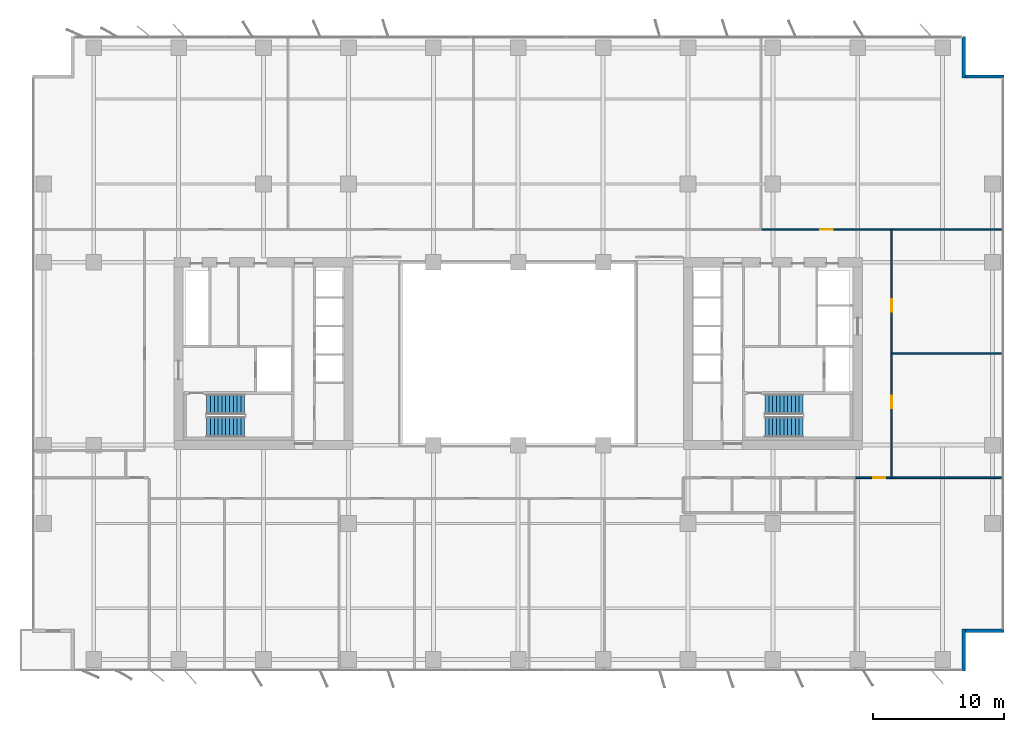
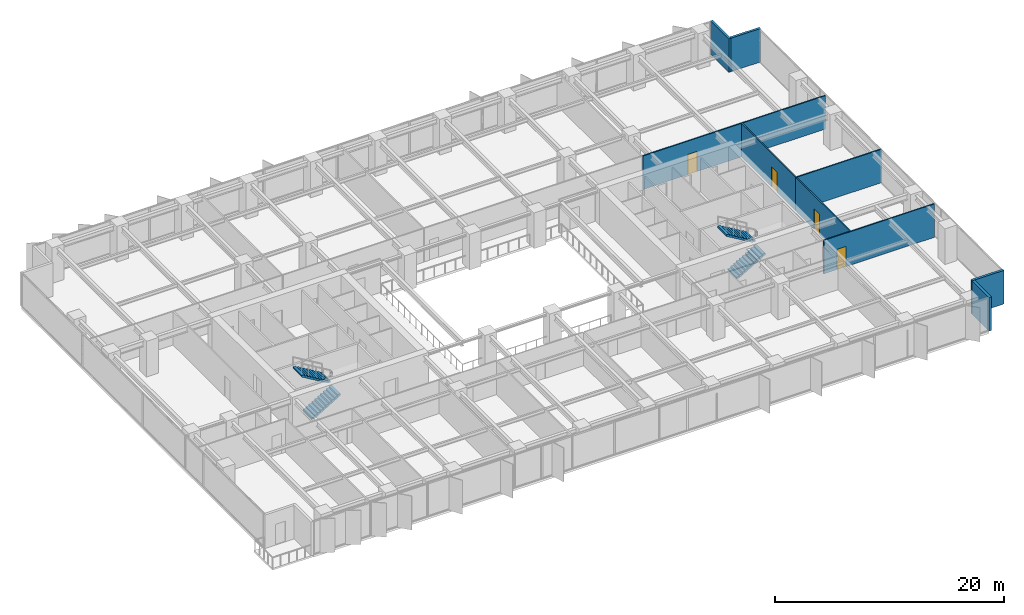
# One storey, part 16 of 20: 9 walls, 4 doors, 4 stair flights, 4 openings, 2 elements without a shape of their own.
"""IFC4 building model written with IfcOpenShell, lengths in metres."""

import ifcopenshell
import ifcopenshell.guid

model = None  # the IFC model being written
_history = None  # IfcOwnerHistory: only IFC2X3 demands one
_inside = {}  # id of a spatial element -> (the spatial element, [elements in it])
_under = {}  # id of a project, library or spatial element -> (it, [spatial elements below it])
_declared = {}  # id of a project -> (the project, [libraries it declares])
_typed = {}  # id of a type object -> (the type object, [elements of that type])
_made_of = {}  # id of a material, layer set ... -> (it, [elements and type objects made of it])


def new_model(schema):
    """Start an empty IFC model of exactly this schema.

    Asked for "IFC4X3", IfcOpenShell would pick the latest addendum, in which some entities
    have other attributes; the version numbers below select the first issue.
    IFC2X3 requires an IfcOwnerHistory on every rooted entity: one is made here for all.
    """
    global model, _history
    if schema == "IFC4X3":
        model = ifcopenshell.file(schema_version=(4, 3, 0, 0))
    else:
        model = ifcopenshell.file(schema=schema)
    _inside.clear()
    _under.clear()
    _declared.clear()
    _typed.clear()
    _made_of.clear()
    _history = None
    if model.schema == "IFC2X3":
        org = make("IfcOrganization", Name="unknown")
        user = make(
            "IfcPersonAndOrganization",
            ThePerson=make("IfcPerson", FamilyName="unknown"),
            TheOrganization=org,
        )
        app = make(
            "IfcApplication",
            ApplicationDeveloper=org,
            Version="unknown",
            ApplicationFullName="unknown",
            ApplicationIdentifier="unknown",
        )
        _history = make(
            "IfcOwnerHistory",
            OwningUser=user,
            OwningApplication=app,
            ChangeAction="ADDED",
            CreationDate=0,
        )
    return model


def make(cls, **values):
    """One entity of the class cls with the attributes given. An attribute that is None is left unset."""
    return model.create_entity(
        cls, **{name: value for name, value in values.items() if value is not None}
    )


def rooted(cls, **values):
    """An entity with a GlobalId (a new one), such as an element, a storey or a relation."""
    return make(cls, GlobalId=ifcopenshell.guid.new(), OwnerHistory=_history, **values)


def si_unit(unit_type, name, prefix=None):
    """IfcSIUnit, for example si_unit("LENGTHUNIT", "METRE", prefix="MILLI")."""
    return make("IfcSIUnit", UnitType=unit_type, Prefix=prefix, Name=name)


def assignment(units):
    """IfcUnitAssignment: the units of a project."""
    return None if units is None else make("IfcUnitAssignment", Units=units)


def point(xyz):
    """IfcCartesianPoint."""
    return None if xyz is None else make("IfcCartesianPoint", Coordinates=xyz)


def direction(xyz):
    """IfcDirection."""
    return None if xyz is None else make("IfcDirection", DirectionRatios=xyz)


def frame(location, z_axis=None, x_axis=None):
    """IfcAxis2Placement3D, a coordinate frame: its origin and axes. An axis left out is left unset."""
    return make(
        "IfcAxis2Placement3D",
        Location=point(location),
        Axis=direction(z_axis),
        RefDirection=direction(x_axis),
    )


def frame_2d(location, x_axis=None):
    """IfcAxis2Placement2D, a coordinate frame in the plane: its origin and x axis."""
    return make(
        "IfcAxis2Placement2D", Location=point(location), RefDirection=direction(x_axis)
    )


def origin():
    """The frame at (0, 0, 0) with its axes left unset."""
    return frame((0.0, 0.0, 0.0))


def place(relative_to, where):
    """IfcLocalPlacement: puts the frame where relative to a parent placement (None: the world)."""
    return make(
        "IfcLocalPlacement", PlacementRelTo=relative_to, RelativePlacement=where
    )


def context(
    kind, dimensions, precision=None, world=None, true_north=None, identifier=None
):
    """IfcGeometricRepresentationContext, for example the 3D "Model" context."""
    return make(
        "IfcGeometricRepresentationContext",
        ContextIdentifier=identifier,
        ContextType=kind,
        CoordinateSpaceDimension=dimensions,
        Precision=precision,
        WorldCoordinateSystem=world,
        TrueNorth=true_north,
    )


def subcontext(parent, identifier, kind, view, scale=None):
    """IfcGeometricRepresentationSubContext, for example "Body" below "Model"."""
    return make(
        "IfcGeometricRepresentationSubContext",
        ContextIdentifier=identifier,
        ContextType=kind,
        ParentContext=parent,
        TargetScale=scale,
        TargetView=view,
    )


def project(units=None, contexts=None):
    """IfcProject with its units and contexts."""
    return rooted(
        "IfcProject",
        Name="project",
        RepresentationContexts=contexts,
        UnitsInContext=assignment(units),
    )


def spatial(cls, under=None, at=None, **own):
    """A site, building, storey or space (cls), placed at a placement, below another one or the project."""
    s = rooted(cls, ObjectPlacement=at, **own)
    if under is not None:
        _under.setdefault(under.id(), (under, []))[1].append(s)
    return s


def polyline(points):
    """IfcPolyline through the points."""
    return make("IfcPolyline", Points=[point(p) for p in points])


def profile(cls, at=None, kind="AREA", **sizes):
    """A parametric profile (cls). Its sizes go by their IFC names, for example OverallWidth=200.0."""
    return make(cls, ProfileType=kind, Position=at, **sizes)


def rectangle(**sizes):
    """IfcRectangleProfileDef."""
    return profile("IfcRectangleProfileDef", **sizes)


def outline(outer, holes=None, kind="AREA"):
    """IfcArbitraryClosedProfileDef: a profile drawn as a closed curve; with holes, ...WithVoids."""
    if holes is None:
        return make("IfcArbitraryClosedProfileDef", ProfileType=kind, OuterCurve=outer)
    return make(
        "IfcArbitraryProfileDefWithVoids",
        ProfileType=kind,
        OuterCurve=outer,
        InnerCurves=holes,
    )


def extrude(swept, where, along, depth):
    """IfcExtrudedAreaSolid: the profile swept, set in the frame where, extruded along a direction by depth."""
    return make(
        "IfcExtrudedAreaSolid",
        SweptArea=swept,
        Position=where,
        ExtrudedDirection=direction(along),
        Depth=depth,
    )


def shape(context_of_items, identifier, shape_type, items):
    """IfcShapeRepresentation: the items that make up one representation, for example the "Body"."""
    return make(
        "IfcShapeRepresentation",
        ContextOfItems=context_of_items,
        RepresentationIdentifier=identifier,
        RepresentationType=shape_type,
        Items=items,
    )


def material(Name=None, Category=None):
    """IfcMaterial."""
    return make("IfcMaterial", Name=Name, Category=Category)


def layer(
    of_material, thickness, ventilated=None, Name=None, Category=None, Priority=None
):
    """IfcMaterialLayer: one layer of a wall or slab, of a material (None: an air gap)."""
    return make(
        "IfcMaterialLayer",
        Material=of_material,
        LayerThickness=thickness,
        IsVentilated=ventilated,
        Name=Name,
        Category=Category,
        Priority=Priority,
    )


def layer_set(layers, Name=None):
    """IfcMaterialLayerSet."""
    return make("IfcMaterialLayerSet", MaterialLayers=layers, LayerSetName=Name)


def made_of(thing, what):
    """Note that an element or type object is made of a material, layer set ...; save() writes the relation."""
    if what is not None:
        _made_of.setdefault(what.id(), (what, []))[1].append(thing)
    return thing


def type_object(cls, material=None, **own):
    """A type object (cls), such as IfcWallType, which elements share."""
    return made_of(rooted(cls, **own), material)


def element(
    cls,
    number,
    at=None,
    inside=None,
    cuts=None,
    type_object=None,
    material=None,
    context=None,
    identifier="Body",
    shape_type=None,
    held_by="IfcProductDefinitionShape",
    body=None,
    shapes=None,
    **own,
):
    """One element of the class cls, such as IfcWall. Its Tag is "e" and its number.

    at: its placement. inside: the storey or other place that contains it. cuts: it is an
    opening in that element (IfcRelVoidsElement). A single representation is given by context,
    identifier, shape_type and body (its items); several are given by shapes. held_by: the class
    of the entity that holds the representations. save() writes the other relations.
    """
    e = rooted(cls, Tag="e%d" % number, ObjectPlacement=at, **own)
    if body is not None:
        shapes = [shape(context, identifier, shape_type, body)]
    if shapes is not None:
        e.Representation = make(held_by, Representations=shapes)
    if inside is not None:
        _inside.setdefault(inside.id(), (inside, []))[1].append(e)
    if cuts is not None:
        rooted(
            "IfcRelVoidsElement", RelatingBuildingElement=cuts, RelatedOpeningElement=e
        )
    if type_object is not None:
        _typed.setdefault(type_object.id(), (type_object, []))[1].append(e)
    return made_of(e, material)


def fill(opening, filler):
    """IfcRelFillsElement: the door or window that sits in an opening."""
    return rooted(
        "IfcRelFillsElement",
        RelatingOpeningElement=opening,
        RelatedBuildingElement=filler,
    )


def aggregate(whole, parts):
    """IfcRelAggregates: a whole, such as a stair, and the parts it consists of."""
    return rooted("IfcRelAggregates", RelatingObject=whole, RelatedObjects=parts)


def save(model, path):
    """Write the relations noted so far, then the file.

    IfcRelAggregates (storeys below a building ...), IfcRelContainedInSpatialStructure (elements
    in a storey), IfcRelDefinesByType, IfcRelAssociatesMaterial and IfcRelDeclares: one each for
    every whole, place, type object, material and project.
    """
    for whole, parts in _under.values():
        aggregate(whole, parts)
    for where, things in _inside.values():
        rooted(
            "IfcRelContainedInSpatialStructure",
            RelatedElements=things,
            RelatingStructure=where,
        )
    for kind, things in _typed.values():
        rooted("IfcRelDefinesByType", RelatedObjects=things, RelatingType=kind)
    for what, things in _made_of.values():
        rooted("IfcRelAssociatesMaterial", RelatedObjects=things, RelatingMaterial=what)
    for by, libraries in _declared.values():
        rooted("IfcRelDeclares", RelatingContext=by, RelatedDefinitions=libraries)
    model.write(path)


model = new_model("IFC4")

# Units and contexts
model_context = context("Model", 3, precision=1e-05, world=origin(), true_north=direction((0.0, 1.0)))
body_context = subcontext(model_context, "Body", "Model", "MODEL_VIEW")
ifc_project = project(units=[si_unit("LENGTHUNIT", "METRE"), si_unit("AREAUNIT", "SQUARE_METRE"), si_unit("VOLUMEUNIT", "CUBIC_METRE"), si_unit("PLANEANGLEUNIT", "RADIAN"), si_unit("MASSUNIT", "GRAM", prefix="KILO")], contexts=[model_context])

# Site, building, storey
site_placement = place(None, origin())
site = spatial("IfcSite", under=ifc_project, at=site_placement, CompositionType="ELEMENT")
building_placement = place(site_placement, origin())
building = spatial("IfcBuilding", under=site, at=building_placement, Name="Putna Gate Headquarters", CompositionType="ELEMENT")
storey_placement = place(building_placement, frame((0.0, 0.0, 93.60009765625)))
storey = spatial("IfcBuildingStorey", under=building, at=storey_placement, Name="L22", CompositionType="ELEMENT", Elevation=93.60009765625)

# Walls
ifc_material_1 = material(Name="Precast concrete C40/50", Category="concrete")
ifc_layer_1 = layer(ifc_material_1, 0.239990234375)
ifc_layer_set_1 = layer_set([ifc_layer_1], Name="Precast concrete C40/50")
wall_type_1 = type_object("IfcWallType", Name="WALL-EXT-TERR-240", PredefinedType="STANDARD", material=ifc_layer_set_1)
for number, where, z_axis, x_axis, name in (
    (1, (73.1201171875, 50.300048828125, 0.0), (0.0, 0.0, 1.0), (0.0, -1.0, 0.0), "L22 Corner Notch Return Wall NE-V"),
    (2, (73.0, 47.219970703125, 0.0), (0.0, 0.0, 1.0), (1.0, 0.0, 0.0), "L22 Corner Notch Return Wall NE-H"),
    (3, (73.1201171875, 4.89990234375, 0.0), (0.0, 0.0, 1.0), (0.0, -1.0, 0.0), "L22 Corner Notch Return Wall SE-V"),
    (4, (76.199951171875, 4.780029296875, 0.0), (0.0, 0.0, 1.0), (-1.0, 0.0, 0.0), "L22 Corner Notch Return Wall SE-H"),
):
    element("IfcWall", number, at=place(storey_placement, frame(where, z_axis=z_axis, x_axis=x_axis)), inside=storey, type_object=wall_type_1, Name=name, PredefinedType="STANDARD", context=body_context, shape_type="SweptSolid", body=[
        extrude(rectangle(XDim=3.199951171875, YDim=0.239990234375, at=frame_2d((1.60009765625, 0.0))), origin(), (0.0, 0.0, 1.0), 3.56494140625),
    ])
ifc_material_2 = material(Name="Acoustic gypsum board on metal stud")
ifc_layer_2 = layer(ifc_material_2, 0.1201171875)
ifc_layer_set_2 = layer_set([ifc_layer_2], Name="Acoustic gypsum board on metal stud")
wall_type_2 = type_object("IfcWallType", Name="WALL-PART-120", PredefinedType="PARTITIONING", material=ifc_layer_set_2)
wall_1_placement = place(storey_placement, frame((67.60009765625, 26.0, 0.0), z_axis=(0.0, 0.0, 1.0), x_axis=(1.0, 0.0, 0.0)))
element("IfcWall", 5, at=wall_1_placement, inside=storey, type_object=wall_type_2, Name="L22 Interior Wall PART-L22-EW-DIV-1", PredefinedType="PARTITIONING", context=body_context, shape_type="SweptSolid", body=[
    extrude(rectangle(XDim=8.579833984375, YDim=0.1201171875, at=frame_2d((4.2900390625, 0.0))), origin(), (0.0, 0.0, 1.0), 3.56494140625),
])

# Wall, opening, door
ifc_material_3 = material(Name="Fire-rated gypsum board on metal stud")
ifc_layer_3 = layer(ifc_material_3, 0.1201171875)
ifc_layer_set_3 = layer_set([ifc_layer_3], Name="Fire-rated gypsum board on metal stud")
wall_type_3 = type_object("IfcWallType", Name="WALL-PART-120-RATED", PredefinedType="PARTITIONING", material=ifc_layer_set_3)
wall_2_placement = place(storey_placement, frame((57.63671875, 35.5, 0.0), z_axis=(0.0, 0.0, 1.0), x_axis=(1.0, 0.0, 0.0)))
wall_2 = element("IfcWall", 6, at=wall_2_placement, inside=storey, type_object=wall_type_3, Name="L22 Interior Wall PART-L22-NB-CW-04", PredefinedType="PARTITIONING", context=body_context, shape_type="SweptSolid", body=[
    extrude(rectangle(XDim=18.38330078125, YDim=0.1201171875, at=frame_2d((9.191650390625, 0.0))), origin(), (0.0, 0.0, 1.0), 3.56494140625),
])
opening_1_placement = place(wall_2_placement, frame((4.506591796875, 0.0, 0.0)))
opening_1 = element("IfcOpeningElement", 7, at=opening_1_placement, cuts=wall_2, Name="Opening FD-95", PredefinedType="OPENING", context=body_context, shape_type="SweptSolid", body=[
    extrude(rectangle(XDim=0.949951171875, YDim=2.14990234375, at=frame_2d((0.47509765625, 1.074951171875))), frame((0.0, 0.070068359375, 0.0), z_axis=(0.0, -1.0, 0.0), x_axis=(1.0, 0.0, 0.0)), (0.0, 0.0, 1.0), 0.14013671875),
])
ifc_material_4 = material(Name="Acoustic timber fire door", Category="wood")
door_type = type_object("IfcDoorType", Name="DOOR-FIRE-950", OperationType="NOTDEFINED", PredefinedType="DOOR", material=ifc_material_4)
door_1_placement = place(opening_1_placement, origin())
door_1 = element("IfcDoor", 8, at=door_1_placement, inside=storey, type_object=door_type, Name="L22 Quiet Wellness Focus Studio 1 Door", OperationType="SINGLE_SWING_RIGHT", OverallHeight=2.14990234375, OverallWidth=0.949951171875, PredefinedType="DOOR", context=body_context, shape_type="SweptSolid", body=[
    extrude(rectangle(XDim=0.949951171875, YDim=2.14990234375, at=frame_2d((0.47509765625, 1.074951171875))), frame((0.0, 0.02490234375, 0.0), z_axis=(0.0, -1.0, 0.0), x_axis=(1.0, 0.0, 0.0)), (0.0, 0.0, 1.0), 0.050048828125),
])
fill(opening_1, door_1)

wall_3_placement = place(storey_placement, frame((64.860107421875, 16.5, 0.0), z_axis=(0.0, 0.0, 1.0), x_axis=(1.0, 0.0, 0.0)))
wall_3 = element("IfcWall", 9, at=wall_3_placement, inside=storey, type_object=wall_type_3, Name="L22 Interior Wall PART-L22-SB-CW-08", PredefinedType="PARTITIONING", context=body_context, shape_type="SweptSolid", body=[
    extrude(rectangle(XDim=11.159912109375, YDim=0.1201171875, at=frame_2d((5.580078125, 0.0))), origin(), (0.0, 0.0, 1.0), 3.56494140625),
])
opening_2_placement = place(wall_3_placement, frame((1.31005859375, 0.0, 0.0)))
opening_2 = element("IfcOpeningElement", 10, at=opening_2_placement, cuts=wall_3, Name="Opening FD-95", PredefinedType="OPENING", context=body_context, shape_type="SweptSolid", body=[
    extrude(rectangle(XDim=0.949951171875, YDim=2.14990234375, at=frame_2d((0.47509765625, 1.074951171875))), frame((0.0, 0.070068359375, 0.0), z_axis=(0.0, -1.0, 0.0), x_axis=(1.0, 0.0, 0.0)), (0.0, 0.0, 1.0), 0.14013671875),
])
door_2_placement = place(opening_2_placement, origin())
door_2 = element("IfcDoor", 11, at=door_2_placement, inside=storey, type_object=door_type, Name="L22 Quiet Wellness Focus Studio 3 Door", OperationType="SINGLE_SWING_RIGHT", OverallHeight=2.14990234375, OverallWidth=0.949951171875, PredefinedType="DOOR", context=body_context, shape_type="SweptSolid", body=[
    extrude(rectangle(XDim=0.949951171875, YDim=2.14990234375, at=frame_2d((0.47509765625, 1.074951171875))), frame((0.0, 0.02490234375, 0.0), z_axis=(0.0, -1.0, 0.0), x_axis=(1.0, 0.0, 0.0)), (0.0, 0.0, 1.0), 0.050048828125),
])
fill(opening_2, door_2)

wall_4_placement = place(storey_placement, frame((67.60009765625, 16.5, 0.0), z_axis=(0.0, 0.0, 1.0), x_axis=(0.0, 1.0, 0.0)))
wall_4 = element("IfcWall", 12, at=wall_4_placement, inside=storey, type_object=wall_type_3, Name="L22 Interior Wall PART-L22-EW-CW-1", PredefinedType="PARTITIONING", context=body_context, shape_type="SweptSolid", body=[
    extrude(rectangle(XDim=9.5, YDim=0.1201171875, at=frame_2d((4.75, 0.0))), origin(), (0.0, 0.0, 1.0), 3.56494140625),
])
opening_3_placement = place(wall_4_placement, frame((5.324951171875, 0.0, 0.0)))
opening_3 = element("IfcOpeningElement", 13, at=opening_3_placement, cuts=wall_4, Name="Opening FD-95", PredefinedType="OPENING", context=body_context, shape_type="SweptSolid", body=[
    extrude(rectangle(XDim=0.949951171875, YDim=2.14990234375, at=frame_2d((0.47509765625, 1.074951171875))), frame((0.0, 0.070068359375, 0.0), z_axis=(0.0, -1.0, 0.0), x_axis=(1.0, 0.0, 0.0)), (0.0, 0.0, 1.0), 0.14013671875),
])
door_3_placement = place(opening_3_placement, origin())
door_3 = element("IfcDoor", 14, at=door_3_placement, inside=storey, type_object=door_type, Name="L22 East Advisory Office 1 Door", OperationType="SINGLE_SWING_RIGHT", OverallHeight=2.14990234375, OverallWidth=0.949951171875, PredefinedType="DOOR", context=body_context, shape_type="SweptSolid", body=[
    extrude(rectangle(XDim=0.949951171875, YDim=2.14990234375, at=frame_2d((0.47509765625, 1.074951171875))), frame((0.0, 0.02490234375, 0.0), z_axis=(0.0, -1.0, 0.0), x_axis=(1.0, 0.0, 0.0)), (0.0, 0.0, 1.0), 0.050048828125),
])
fill(opening_3, door_3)

wall_5_placement = place(storey_placement, frame((67.60009765625, 26.0, 0.0), z_axis=(0.0, 0.0, 1.0), x_axis=(0.0, 1.0, 0.0)))
wall_5 = element("IfcWall", 15, at=wall_5_placement, inside=storey, type_object=wall_type_3, Name="L22 Interior Wall PART-L22-EW-CW-2", PredefinedType="PARTITIONING", context=body_context, shape_type="SweptSolid", body=[
    extrude(rectangle(XDim=9.5, YDim=0.1201171875, at=frame_2d((4.75, 0.0))), origin(), (0.0, 0.0, 1.0), 3.56494140625),
])
opening_4_placement = place(wall_5_placement, frame((3.22509765625, 0.0, 0.0)))
opening_4 = element("IfcOpeningElement", 16, at=opening_4_placement, cuts=wall_5, Name="Opening FD-95", PredefinedType="OPENING", context=body_context, shape_type="SweptSolid", body=[
    extrude(rectangle(XDim=0.949951171875, YDim=2.14990234375, at=frame_2d((0.47509765625, 1.074951171875))), frame((0.0, 0.070068359375, 0.0), z_axis=(0.0, -1.0, 0.0), x_axis=(1.0, 0.0, 0.0)), (0.0, 0.0, 1.0), 0.14013671875),
])
door_4_placement = place(opening_4_placement, origin())
door_4 = element("IfcDoor", 17, at=door_4_placement, inside=storey, type_object=door_type, Name="L22 East Horizon Conference Room 2 Door", OperationType="SINGLE_SWING_LEFT", OverallHeight=2.14990234375, OverallWidth=0.949951171875, PredefinedType="DOOR", context=body_context, shape_type="SweptSolid", body=[
    extrude(rectangle(XDim=0.949951171875, YDim=2.14990234375, at=frame_2d((0.47509765625, 1.074951171875))), frame((0.0, 0.02490234375, 0.0), z_axis=(0.0, -1.0, 0.0), x_axis=(1.0, 0.0, 0.0)), (0.0, 0.0, 1.0), 0.050048828125),
])
fill(opening_4, door_4)

# Stair, stair flights
ifc_material_5 = material(Name="Concrete C40/50", Category="concrete")
stair_type_1 = type_object("IfcStairType", Name="STAIR-ST1", PredefinedType="HALF_TURN_STAIR", material=ifc_material_5)
stair_1_placement = place(storey_placement, origin())
stair_1 = element("IfcStair", 18, at=stair_1_placement, inside=storey, type_object=stair_type_1, Name="L22 West Core Exit Stair ST1", PredefinedType="HALF_TURN_STAIR")
stair_flight_type_1 = type_object("IfcStairFlightType", Name="FLIGHT-ST1", PredefinedType="STRAIGHT", material=ifc_material_5)
stair_flight_1_placement = place(storey_placement, frame((15.14990234375, 20.375, 0.0), z_axis=(0.0, 0.0, 1.0), x_axis=(1.0, 0.0, 0.0)))
stair_flight_1 = element("IfcStairFlight", 19, at=stair_flight_1_placement, type_object=stair_flight_type_1, Name="ST1 flight 1", NumberOfRisers=11, NumberOfTreads=10, PredefinedType="STRAIGHT", RiserHeight=0.172727273, TreadLength=0.29, context=body_context, shape_type="SweptSolid", body=[
    extrude(outline(polyline([(0.0, 0.0), (0.0, 0.172607421875), (0.2900390625, 0.172607421875), (0.2900390625, 0.345458984375), (0.580078125, 0.345458984375), (0.580078125, 0.51806640625), (0.8701171875, 0.51806640625), (0.8701171875, 0.69091796875), (1.159912109375, 0.69091796875), (1.159912109375, 0.863525390625), (1.449951171875, 0.863525390625), (1.449951171875, 1.036376953125), (1.739990234375, 1.036376953125), (1.739990234375, 1.208984375), (2.030029296875, 1.208984375), (2.030029296875, 1.3818359375), (2.320068359375, 1.3818359375), (2.320068359375, 1.554443359375), (2.610107421875, 1.554443359375), (2.610107421875, 1.727294921875), (2.89990234375, 1.727294921875), (2.89990234375, 1.89990234375), (2.89990234375, 1.552734375), (0.29296875, 0.0), (0.0, 0.0)])), frame((0.0, 0.77490234375, 0.0), z_axis=(0.0, -1.0, 0.0), x_axis=(1.0, 0.0, 0.0)), (0.0, 0.0, 1.0), 1.550048828125),
])
stair_flight_2_placement = place(storey_placement, frame((18.050048828125, 22.125, 1.89990234375), z_axis=(0.0, 0.0, 1.0), x_axis=(-1.0, 0.0, 0.0)))
stair_flight_2 = element("IfcStairFlight", 20, at=stair_flight_2_placement, type_object=stair_flight_type_1, Name="ST1 flight 2", NumberOfRisers=11, NumberOfTreads=10, PredefinedType="STRAIGHT", RiserHeight=0.172727273, TreadLength=0.29, context=body_context, shape_type="SweptSolid", body=[
    extrude(outline(polyline([(0.0, 0.0), (0.0, 0.172607421875), (0.2900390625, 0.172607421875), (0.2900390625, 0.345458984375), (0.580078125, 0.345458984375), (0.580078125, 0.51806640625), (0.8701171875, 0.51806640625), (0.8701171875, 0.69091796875), (1.159912109375, 0.69091796875), (1.159912109375, 0.863525390625), (1.449951171875, 0.863525390625), (1.449951171875, 1.036376953125), (1.739990234375, 1.036376953125), (1.739990234375, 1.208984375), (2.030029296875, 1.208984375), (2.030029296875, 1.3818359375), (2.320068359375, 1.3818359375), (2.320068359375, 1.554443359375), (2.610107421875, 1.554443359375), (2.610107421875, 1.727294921875), (2.89990234375, 1.727294921875), (2.89990234375, 1.89990234375), (2.89990234375, 1.552734375), (0.29296875, 0.0), (0.0, 0.0)])), frame((0.0, 0.77490234375, 0.0), z_axis=(0.0, -1.0, 0.0), x_axis=(1.0, 0.0, 0.0)), (0.0, 0.0, 1.0), 1.550048828125),
])
aggregate(stair_1, [stair_flight_1, stair_flight_2])

stair_type_2 = type_object("IfcStairType", Name="STAIR-ST2", PredefinedType="HALF_TURN_STAIR", material=ifc_material_5)
stair_2_placement = place(storey_placement, origin())
stair_2 = element("IfcStair", 21, at=stair_2_placement, inside=storey, type_object=stair_type_2, Name="L22 East Core Exit Stair ST2", PredefinedType="HALF_TURN_STAIR")
stair_flight_type_2 = type_object("IfcStairFlightType", Name="FLIGHT-ST2", PredefinedType="STRAIGHT", material=ifc_material_5)
stair_flight_3_placement = place(storey_placement, frame((57.89990234375, 20.375, 0.0), z_axis=(0.0, 0.0, 1.0), x_axis=(1.0, 0.0, 0.0)))
stair_flight_3 = element("IfcStairFlight", 22, at=stair_flight_3_placement, type_object=stair_flight_type_2, Name="ST2 flight 1", NumberOfRisers=11, NumberOfTreads=10, PredefinedType="STRAIGHT", RiserHeight=0.172727273, TreadLength=0.29, context=body_context, shape_type="SweptSolid", body=[
    extrude(outline(polyline([(0.0, 0.0), (0.0, 0.172607421875), (0.2900390625, 0.172607421875), (0.2900390625, 0.345458984375), (0.580078125, 0.345458984375), (0.580078125, 0.51806640625), (0.8701171875, 0.51806640625), (0.8701171875, 0.69091796875), (1.159912109375, 0.69091796875), (1.159912109375, 0.863525390625), (1.449951171875, 0.863525390625), (1.449951171875, 1.036376953125), (1.739990234375, 1.036376953125), (1.739990234375, 1.208984375), (2.030029296875, 1.208984375), (2.030029296875, 1.3818359375), (2.320068359375, 1.3818359375), (2.320068359375, 1.554443359375), (2.610107421875, 1.554443359375), (2.610107421875, 1.727294921875), (2.89990234375, 1.727294921875), (2.89990234375, 1.89990234375), (2.89990234375, 1.552734375), (0.29296875, 0.0), (0.0, 0.0)])), frame((0.0, 0.77490234375, 0.0), z_axis=(0.0, -1.0, 0.0), x_axis=(1.0, 0.0, 0.0)), (0.0, 0.0, 1.0), 1.550048828125),
])
stair_flight_4_placement = place(storey_placement, frame((60.800048828125, 22.125, 1.89990234375), z_axis=(0.0, 0.0, 1.0), x_axis=(-1.0, 0.0, 0.0)))
stair_flight_4 = element("IfcStairFlight", 23, at=stair_flight_4_placement, type_object=stair_flight_type_2, Name="ST2 flight 2", NumberOfRisers=11, NumberOfTreads=10, PredefinedType="STRAIGHT", RiserHeight=0.172727273, TreadLength=0.29, context=body_context, shape_type="SweptSolid", body=[
    extrude(outline(polyline([(0.0, 0.0), (0.0, 0.172607421875), (0.2900390625, 0.172607421875), (0.2900390625, 0.345458984375), (0.580078125, 0.345458984375), (0.580078125, 0.51806640625), (0.8701171875, 0.51806640625), (0.8701171875, 0.69091796875), (1.159912109375, 0.69091796875), (1.159912109375, 0.863525390625), (1.449951171875, 0.863525390625), (1.449951171875, 1.036376953125), (1.739990234375, 1.036376953125), (1.739990234375, 1.208984375), (2.030029296875, 1.208984375), (2.030029296875, 1.3818359375), (2.320068359375, 1.3818359375), (2.320068359375, 1.554443359375), (2.610107421875, 1.554443359375), (2.610107421875, 1.727294921875), (2.89990234375, 1.727294921875), (2.89990234375, 1.89990234375), (2.89990234375, 1.552734375), (0.29296875, 0.0), (0.0, 0.0)])), frame((0.0, 0.77490234375, 0.0), z_axis=(0.0, -1.0, 0.0), x_axis=(1.0, 0.0, 0.0)), (0.0, 0.0, 1.0), 1.550048828125),
])
aggregate(stair_2, [stair_flight_3, stair_flight_4])

save(model, "model.ifc")
